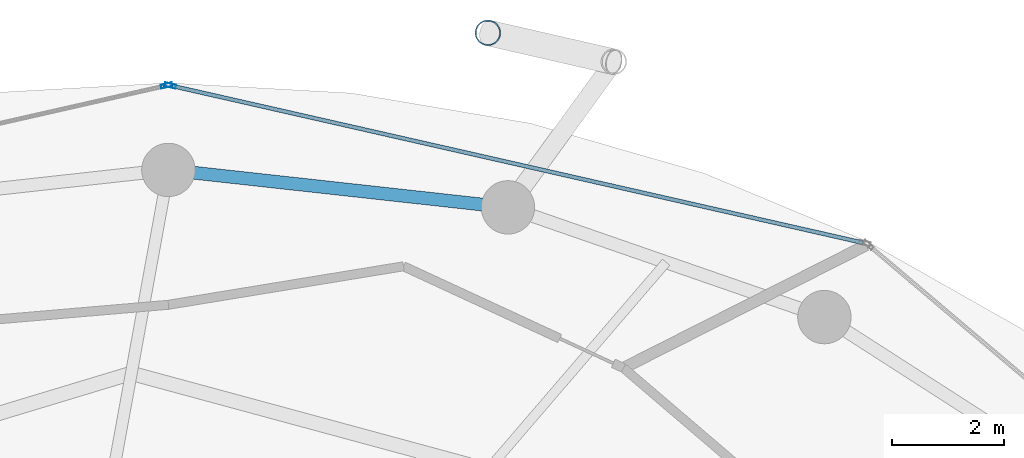
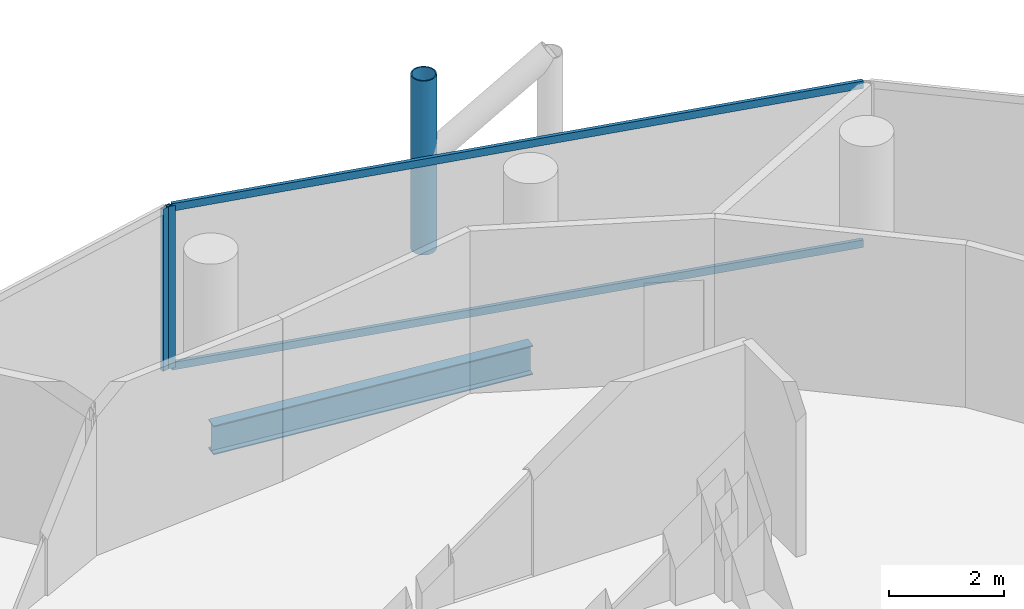
# One storey, part 17 of 26: 5 members, 1 beam, 2 elements without a shape of their own.
"""IFC4 building model written with IfcOpenShell, lengths in metres."""

from ifc_helpers import new_model, si_unit, direction, frame, origin, origin_2d, place, context, subcontext, project, spatial, hollow_rectangle, hollow_circle, i_section, extrude, material, layer, layer_set, material_profile, profile_set, type_object, element, aggregate, save


model = new_model("IFC4")

# Units and contexts
model_context = context("Model", 3, precision=1e-05, world=origin(), true_north=direction((0.0, 1.0)))
body_context = subcontext(model_context, "Body", "Model", "MODEL_VIEW")
ifc_project = project(units=[si_unit("LENGTHUNIT", "METRE"), si_unit("AREAUNIT", "SQUARE_METRE"), si_unit("VOLUMEUNIT", "CUBIC_METRE"), si_unit("PLANEANGLEUNIT", "RADIAN"), si_unit("MASSUNIT", "GRAM", prefix="KILO")], contexts=[model_context])

# Site, building, storey
site_placement = place(None, origin())
site = spatial("IfcSite", under=ifc_project, at=site_placement, CompositionType="ELEMENT")
building_placement = place(site_placement, origin())
building = spatial("IfcBuilding", under=site, at=building_placement, Name="Nuhasar Tower", CompositionType="ELEMENT")
storey_placement = place(building_placement, frame((0.0, 0.0, 188.550048828125)))
storey = spatial("IfcBuildingStorey", under=building, at=storey_placement, Name="L46", CompositionType="ELEMENT", Elevation=188.550048828125)

# Beam
ifc_material_1 = material(Name="Steel S355", Category="steel")
ifc_material_profile_1 = material_profile(ifc_material_1, i_section(OverallWidth=0.22998046875, OverallDepth=0.616943359375, WebThickness=0.01318359375, FlangeThickness=0.022216796875, at=origin_2d()), Name="W24X94")
ifc_profile_set_1 = profile_set([ifc_material_profile_1], Name="Steel S355")
beam_type = type_object("IfcBeamType", Name="BM-RING-W24X94", PredefinedType="SPANDREL", material=ifc_profile_set_1)
beam_placement = place(storey_placement, frame((45.04296875, 45.68408203125, -0.55810546875), z_axis=(-0.993981289157, 0.109549974015, 0.0), x_axis=(-0.109549974015, -0.993981289157, 0.0)))
element("IfcBeam", 1, at=beam_placement, inside=storey, type_object=beam_type, Name="L46 Perimeter Ring Spandrel 06", PredefinedType="SPANDREL", context=body_context, shape_type="SweptSolid", body=[
    extrude(i_section(OverallWidth=0.22998046875, OverallDepth=0.616943359375, WebThickness=0.01318359375, FlangeThickness=0.022216796875, at=origin_2d()), origin(), (0.0, 0.0, 1.0), 6.07958984375),
])

# Curtain wall, member
ifc_material_2 = material(Name="Aluminium 6063-T6", Category="aluminium")
ifc_layer = layer(ifc_material_2, 0.199951171875)
ifc_layer_set = layer_set([ifc_layer], Name="Aluminium 6063-T6")
curtain_wall_type = type_object("IfcCurtainWallType", Name="CW-Z2-HTL", PredefinedType="NOTDEFINED", material=ifc_layer_set)
curtain_wall_1_placement = place(storey_placement, origin())
curtain_wall_1 = element("IfcCurtainWall", 2, at=curtain_wall_1_placement, inside=storey, type_object=curtain_wall_type, Name="L46 Unitised Curtain Wall 03", PredefinedType="NOTDEFINED")
ifc_material_profile_2 = material_profile(ifc_material_2, hollow_rectangle(XDim=0.070068359375, YDim=0.199951171875, WallThickness=0.0048828125, at=origin_2d()), Name="CWM-3")
ifc_profile_set_2 = profile_set([ifc_material_profile_2], Name="Aluminium 6063-T6")
member_type_1 = type_object("IfcMemberType", Name="CW-MUL-S3", PredefinedType="MULLION", material=ifc_profile_set_2)
member_1_placement = place(storey_placement, frame((39.0341796875, 47.852294921875, 0.0), z_axis=(0.0, 0.0, 1.0), x_axis=(-0.22139729566, -0.975183694221, 0.0)))
member_1 = element("IfcMember", 3, at=member_1_placement, type_object=member_type_1, Name="CW-Z2 mullion 2", PredefinedType="MULLION", context=body_context, shape_type="SweptSolid", body=[
    extrude(hollow_rectangle(XDim=0.070068359375, YDim=0.199951171875, WallThickness=0.0048828125, at=origin_2d()), origin(), (0.0, 0.0, 1.0), 3.449951171875),
])

curtain_wall_2_placement = place(storey_placement, origin())
curtain_wall_2 = element("IfcCurtainWall", 4, at=curtain_wall_2_placement, inside=storey, type_object=curtain_wall_type, Name="L46 Unitised Curtain Wall 04", PredefinedType="NOTDEFINED")
member_2_placement = place(storey_placement, frame((38.9658203125, 47.852294921875, 0.0), z_axis=(0.0, 0.0, 1.0), x_axis=(0.22139729566, -0.975183694221, 0.0)))
member_2 = element("IfcMember", 5, at=member_2_placement, type_object=member_type_1, Name="CW-Z2 mullion 1", PredefinedType="MULLION", context=body_context, shape_type="SweptSolid", body=[
    extrude(hollow_rectangle(XDim=0.070068359375, YDim=0.199951171875, WallThickness=0.0048828125, at=origin_2d()), origin(), (0.0, 0.0, 1.0), 3.449951171875),
])
aggregate(curtain_wall_2, [member_2])

# Member
ifc_material_profile_3 = material_profile(ifc_material_2, hollow_rectangle(XDim=0.070068359375, YDim=0.159912109375, WallThickness=0.00439453125, at=origin_2d()), Name="CWT-3")
ifc_profile_set_3 = profile_set([ifc_material_profile_3], Name="Aluminium 6063-T6")
member_type_2 = type_object("IfcMemberType", Name="CW-TRN-S3", PredefinedType="USERDEFINED", material=ifc_profile_set_3)
member_3_placement = place(storey_placement, frame((51.36181640625, 45.053466796875, 0.034912109375), z_axis=(-0.975183434528, 0.221398439519, 0.0), x_axis=(-0.221398439519, -0.975183434528, 0.0)))
member_3 = element("IfcMember", 6, at=member_3_placement, type_object=member_type_2, Name="CW-Z2 transom 1.1", ObjectType="TRANSOM", PredefinedType="USERDEFINED", context=body_context, shape_type="SweptSolid", body=[
    extrude(hollow_rectangle(XDim=0.070068359375, YDim=0.159912109375, WallThickness=0.00439453125, at=origin_2d()), origin(), (0.0, 0.0, 1.0), 12.606201171875),
])

member_4_placement = place(storey_placement, frame((51.36181640625, 45.053466796875, 3.4150390625), z_axis=(-0.975183434528, 0.221398439519, 0.0), x_axis=(-0.221398439519, -0.975183434528, 0.0)))
member_4 = element("IfcMember", 7, at=member_4_placement, type_object=member_type_2, Name="CW-Z2 transom 1.2", ObjectType="TRANSOM", PredefinedType="USERDEFINED", context=body_context, shape_type="SweptSolid", body=[
    extrude(hollow_rectangle(XDim=0.070068359375, YDim=0.159912109375, WallThickness=0.00439453125, at=origin_2d()), origin(), (0.0, 0.0, 1.0), 12.606201171875),
])

aggregate(curtain_wall_1, [member_1, member_3, member_4])

ifc_material_3 = material(Name="Steel S460", Category="steel")
ifc_material_profile_4 = material_profile(ifc_material_3, hollow_circle(Radius=0.228515625, WallThickness=0.022216796875, at=origin_2d()), Name="HSS457X22.2")
ifc_profile_set_4 = profile_set([ifc_material_profile_4], Name="Steel S460")
member_type_3 = type_object("IfcMemberType", Name="EXO-BRONZE-457", PredefinedType="BRACE", material=ifc_profile_set_4)
member_5_placement = place(storey_placement, frame((44.68603515625, 48.7900390625, 0.0), z_axis=(0.0, 0.0, 1.0), x_axis=(1.0, 0.0, 0.0)))
element("IfcMember", 8, at=member_5_placement, inside=storey, type_object=member_type_3, Name="L46 Exoskeleton Chord Column EC-03B", PredefinedType="BRACE", context=body_context, shape_type="SweptSolid", body=[
    extrude(hollow_circle(Radius=0.228515625, WallThickness=0.022216796875, at=origin_2d()), origin(), (0.0, 0.0, 1.0), 3.699951171875),
])

save(model, "model.ifc")
